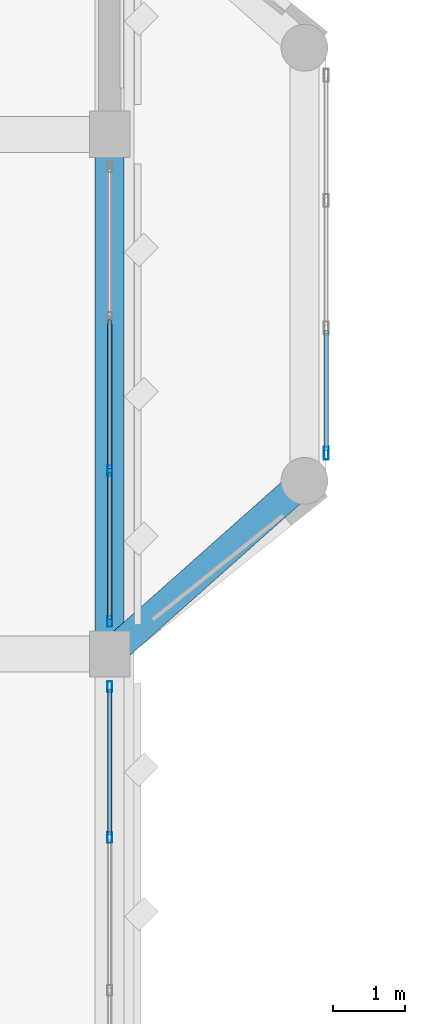
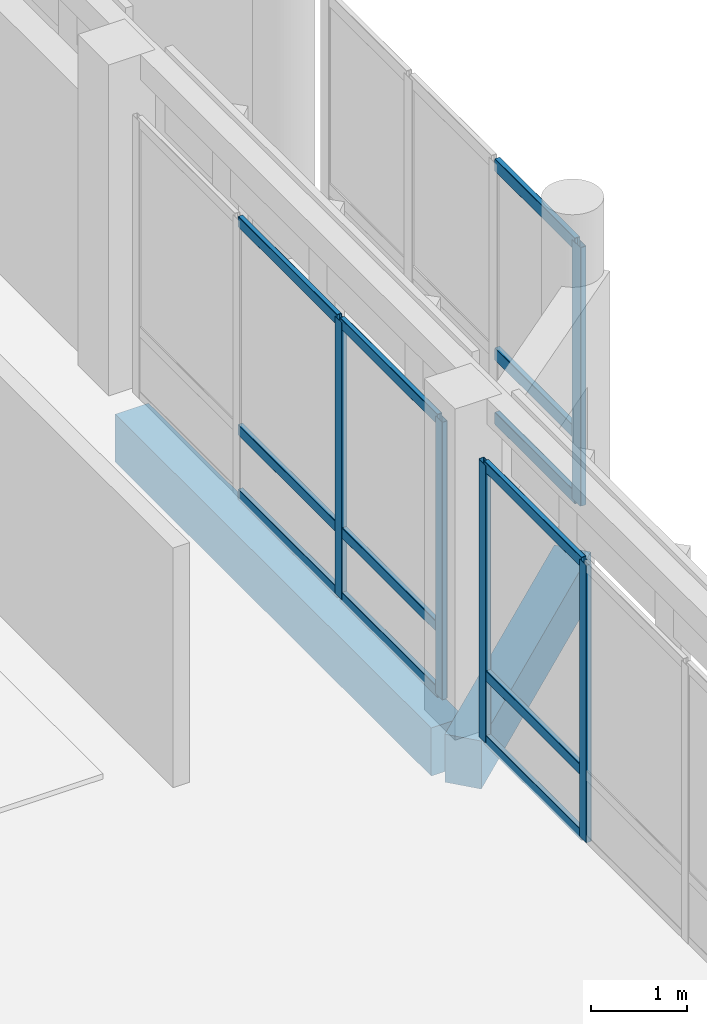
# One storey, part 32 of 158: 17 members, 2 beams, 3 elements without a shape of their own.
"""IFC4 building model written with IfcOpenShell, lengths in metres."""

import ifcopenshell
import ifcopenshell.guid

model = None  # the IFC model being written
_history = None  # IfcOwnerHistory: only IFC2X3 demands one
_inside = {}  # id of a spatial element -> (the spatial element, [elements in it])
_under = {}  # id of a project, library or spatial element -> (it, [spatial elements below it])
_declared = {}  # id of a project -> (the project, [libraries it declares])
_typed = {}  # id of a type object -> (the type object, [elements of that type])
_made_of = {}  # id of a material, layer set ... -> (it, [elements and type objects made of it])


def new_model(schema):
    """Start an empty IFC model of exactly this schema.

    Asked for "IFC4X3", IfcOpenShell would pick the latest addendum, in which some entities
    have other attributes; the version numbers below select the first issue.
    IFC2X3 requires an IfcOwnerHistory on every rooted entity: one is made here for all.
    """
    global model, _history
    if schema == "IFC4X3":
        model = ifcopenshell.file(schema_version=(4, 3, 0, 0))
    else:
        model = ifcopenshell.file(schema=schema)
    _inside.clear()
    _under.clear()
    _declared.clear()
    _typed.clear()
    _made_of.clear()
    _history = None
    if model.schema == "IFC2X3":
        org = make("IfcOrganization", Name="unknown")
        user = make(
            "IfcPersonAndOrganization",
            ThePerson=make("IfcPerson", FamilyName="unknown"),
            TheOrganization=org,
        )
        app = make(
            "IfcApplication",
            ApplicationDeveloper=org,
            Version="unknown",
            ApplicationFullName="unknown",
            ApplicationIdentifier="unknown",
        )
        _history = make(
            "IfcOwnerHistory",
            OwningUser=user,
            OwningApplication=app,
            ChangeAction="ADDED",
            CreationDate=0,
        )
    return model


def make(cls, **values):
    """One entity of the class cls with the attributes given. An attribute that is None is left unset."""
    return model.create_entity(
        cls, **{name: value for name, value in values.items() if value is not None}
    )


def rooted(cls, **values):
    """An entity with a GlobalId (a new one), such as an element, a storey or a relation."""
    return make(cls, GlobalId=ifcopenshell.guid.new(), OwnerHistory=_history, **values)


def si_unit(unit_type, name, prefix=None):
    """IfcSIUnit, for example si_unit("LENGTHUNIT", "METRE", prefix="MILLI")."""
    return make("IfcSIUnit", UnitType=unit_type, Prefix=prefix, Name=name)


def assignment(units):
    """IfcUnitAssignment: the units of a project."""
    return None if units is None else make("IfcUnitAssignment", Units=units)


def point(xyz):
    """IfcCartesianPoint."""
    return None if xyz is None else make("IfcCartesianPoint", Coordinates=xyz)


def direction(xyz):
    """IfcDirection."""
    return None if xyz is None else make("IfcDirection", DirectionRatios=xyz)


def frame(location, z_axis=None, x_axis=None):
    """IfcAxis2Placement3D, a coordinate frame: its origin and axes. An axis left out is left unset."""
    return make(
        "IfcAxis2Placement3D",
        Location=point(location),
        Axis=direction(z_axis),
        RefDirection=direction(x_axis),
    )


def frame_2d(location, x_axis=None):
    """IfcAxis2Placement2D, a coordinate frame in the plane: its origin and x axis."""
    return make(
        "IfcAxis2Placement2D", Location=point(location), RefDirection=direction(x_axis)
    )


def origin():
    """The frame at (0, 0, 0) with its axes left unset."""
    return frame((0.0, 0.0, 0.0))


def origin_2d():
    """The frame at (0, 0) in the plane with its x axis left unset."""
    return frame_2d((0.0, 0.0))


def place(relative_to, where):
    """IfcLocalPlacement: puts the frame where relative to a parent placement (None: the world)."""
    return make(
        "IfcLocalPlacement", PlacementRelTo=relative_to, RelativePlacement=where
    )


def context(
    kind, dimensions, precision=None, world=None, true_north=None, identifier=None
):
    """IfcGeometricRepresentationContext, for example the 3D "Model" context."""
    return make(
        "IfcGeometricRepresentationContext",
        ContextIdentifier=identifier,
        ContextType=kind,
        CoordinateSpaceDimension=dimensions,
        Precision=precision,
        WorldCoordinateSystem=world,
        TrueNorth=true_north,
    )


def subcontext(parent, identifier, kind, view, scale=None):
    """IfcGeometricRepresentationSubContext, for example "Body" below "Model"."""
    return make(
        "IfcGeometricRepresentationSubContext",
        ContextIdentifier=identifier,
        ContextType=kind,
        ParentContext=parent,
        TargetScale=scale,
        TargetView=view,
    )


def project(units=None, contexts=None):
    """IfcProject with its units and contexts."""
    return rooted(
        "IfcProject",
        Name="project",
        RepresentationContexts=contexts,
        UnitsInContext=assignment(units),
    )


def spatial(cls, under=None, at=None, **own):
    """A site, building, storey or space (cls), placed at a placement, below another one or the project."""
    s = rooted(cls, ObjectPlacement=at, **own)
    if under is not None:
        _under.setdefault(under.id(), (under, []))[1].append(s)
    return s


def profile(cls, at=None, kind="AREA", **sizes):
    """A parametric profile (cls). Its sizes go by their IFC names, for example OverallWidth=200.0."""
    return make(cls, ProfileType=kind, Position=at, **sizes)


def rectangle(**sizes):
    """IfcRectangleProfileDef."""
    return profile("IfcRectangleProfileDef", **sizes)


def hollow_rectangle(**sizes):
    """IfcRectangleHollowProfileDef."""
    return profile("IfcRectangleHollowProfileDef", **sizes)


def extrude(swept, where, along, depth):
    """IfcExtrudedAreaSolid: the profile swept, set in the frame where, extruded along a direction by depth."""
    return make(
        "IfcExtrudedAreaSolid",
        SweptArea=swept,
        Position=where,
        ExtrudedDirection=direction(along),
        Depth=depth,
    )


def shape(context_of_items, identifier, shape_type, items):
    """IfcShapeRepresentation: the items that make up one representation, for example the "Body"."""
    return make(
        "IfcShapeRepresentation",
        ContextOfItems=context_of_items,
        RepresentationIdentifier=identifier,
        RepresentationType=shape_type,
        Items=items,
    )


def material(Name=None, Category=None):
    """IfcMaterial."""
    return make("IfcMaterial", Name=Name, Category=Category)


def material_profile(
    of_material, cross_section, Name=None, Category=None, Priority=None
):
    """IfcMaterialProfile: a cross section and its material."""
    return make(
        "IfcMaterialProfile",
        Name=Name,
        Material=of_material,
        Profile=cross_section,
        Priority=Priority,
        Category=Category,
    )


def profile_set(profiles, Name=None, composite=None):
    """IfcMaterialProfileSet."""
    return make(
        "IfcMaterialProfileSet",
        Name=Name,
        MaterialProfiles=profiles,
        CompositeProfile=composite,
    )


def made_of(thing, what):
    """Note that an element or type object is made of a material, layer set ...; save() writes the relation."""
    if what is not None:
        _made_of.setdefault(what.id(), (what, []))[1].append(thing)
    return thing


def type_object(cls, material=None, **own):
    """A type object (cls), such as IfcWallType, which elements share."""
    return made_of(rooted(cls, **own), material)


def element(
    cls,
    number,
    at=None,
    inside=None,
    cuts=None,
    type_object=None,
    material=None,
    context=None,
    identifier="Body",
    shape_type=None,
    held_by="IfcProductDefinitionShape",
    body=None,
    shapes=None,
    **own,
):
    """One element of the class cls, such as IfcWall. Its Tag is "e" and its number.

    at: its placement. inside: the storey or other place that contains it. cuts: it is an
    opening in that element (IfcRelVoidsElement). A single representation is given by context,
    identifier, shape_type and body (its items); several are given by shapes. held_by: the class
    of the entity that holds the representations. save() writes the other relations.
    """
    e = rooted(cls, Tag="e%d" % number, ObjectPlacement=at, **own)
    if body is not None:
        shapes = [shape(context, identifier, shape_type, body)]
    if shapes is not None:
        e.Representation = make(held_by, Representations=shapes)
    if inside is not None:
        _inside.setdefault(inside.id(), (inside, []))[1].append(e)
    if cuts is not None:
        rooted(
            "IfcRelVoidsElement", RelatingBuildingElement=cuts, RelatedOpeningElement=e
        )
    if type_object is not None:
        _typed.setdefault(type_object.id(), (type_object, []))[1].append(e)
    return made_of(e, material)


def aggregate(whole, parts):
    """IfcRelAggregates: a whole, such as a stair, and the parts it consists of."""
    return rooted("IfcRelAggregates", RelatingObject=whole, RelatedObjects=parts)


def save(model, path):
    """Write the relations noted so far, then the file.

    IfcRelAggregates (storeys below a building ...), IfcRelContainedInSpatialStructure (elements
    in a storey), IfcRelDefinesByType, IfcRelAssociatesMaterial and IfcRelDeclares: one each for
    every whole, place, type object, material and project.
    """
    for whole, parts in _under.values():
        aggregate(whole, parts)
    for where, things in _inside.values():
        rooted(
            "IfcRelContainedInSpatialStructure",
            RelatedElements=things,
            RelatingStructure=where,
        )
    for kind, things in _typed.values():
        rooted("IfcRelDefinesByType", RelatedObjects=things, RelatingType=kind)
    for what, things in _made_of.values():
        rooted("IfcRelAssociatesMaterial", RelatedObjects=things, RelatingMaterial=what)
    for by, libraries in _declared.values():
        rooted("IfcRelDeclares", RelatingContext=by, RelatedDefinitions=libraries)
    model.write(path)


model = new_model("IFC4")

# Units and contexts
model_context = context("Model", 3, precision=1e-05, world=origin(), true_north=direction((0.0, 1.0)))
body_context = subcontext(model_context, "Body", "Model", "MODEL_VIEW")
ifc_project = project(units=[si_unit("LENGTHUNIT", "METRE"), si_unit("AREAUNIT", "SQUARE_METRE"), si_unit("VOLUMEUNIT", "CUBIC_METRE"), si_unit("PLANEANGLEUNIT", "RADIAN"), si_unit("MASSUNIT", "GRAM", prefix="KILO")], contexts=[model_context])

# Site, building, storey
site_placement = place(None, origin())
site = spatial("IfcSite", under=ifc_project, at=site_placement, CompositionType="ELEMENT")
building_placement = place(site_placement, origin())
building = spatial("IfcBuilding", under=site, at=building_placement, Name="Lusvemor Sports Hall", CompositionType="ELEMENT")
storey_placement = place(building_placement, frame((0.0, 0.0, 10.800048828125)))
storey = spatial("IfcBuildingStorey", under=building, at=storey_placement, Name="L02", CompositionType="ELEMENT", Elevation=10.800048828125)

# Curtain wall, member
ifc_material_1 = material(Name="Thermally broken bronze-anodized aluminium", Category="aluminium")
curtain_wall_type_1 = type_object("IfcCurtainWallType", Name="CW_FOYER_A", PredefinedType="NOTDEFINED", material=ifc_material_1)
curtain_wall_1_placement = place(storey_placement, origin())
curtain_wall_1 = element("IfcCurtainWall", 1, at=curtain_wall_1_placement, inside=storey, type_object=curtain_wall_type_1, Name="Curtain Wall CW-BOW-CT-L02-M", PredefinedType="NOTDEFINED")
ifc_material_2 = material(Name="Thermally broken bronze-anodized aluminium", Category="aluminium")
ifc_material_profile_1 = material_profile(ifc_material_2, hollow_rectangle(XDim=0.070068359375, YDim=0.179931640625, WallThickness=0.0048828125, InnerFilletRadius=0.0048828125, OuterFilletRadius=0.010009765625, at=origin_2d()), Name="CWMUL180x70x5")
ifc_profile_set_1 = profile_set([ifc_material_profile_1], Name="Thermally broken bronze-anodized aluminium")
member_type_1 = type_object("IfcMemberType", Name="CW_MUL_A", PredefinedType="MULLION", material=ifc_profile_set_1)
member_1_placement = place(storey_placement, frame((24.60009765625, 78.385009765625, 0.0), z_axis=(0.0, 0.0, 1.0), x_axis=(1.0, 0.0, 0.0)))
member_1 = element("IfcMember", 2, at=member_1_placement, type_object=member_type_1, Name="CW01 mullion 4", PredefinedType="MULLION", context=body_context, shape_type="SweptSolid", body=[
    extrude(hollow_rectangle(XDim=0.070068359375, YDim=0.179931640625, WallThickness=0.0048828125, InnerFilletRadius=0.0048828125, OuterFilletRadius=0.010009765625, at=origin_2d()), origin(), (0.0, 0.0, 1.0), 3.280029296875),
])

# Curtain wall, members
ifc_material_3 = material(Name="Thermally broken bronze-anodized aluminium", Category="aluminium")
curtain_wall_type_2 = type_object("IfcCurtainWallType", Name="CW_WING_B", PredefinedType="NOTDEFINED", material=ifc_material_3)
curtain_wall_2_placement = place(storey_placement, origin())
curtain_wall_2 = element("IfcCurtainWall", 3, at=curtain_wall_2_placement, inside=storey, type_object=curtain_wall_type_2, Name="Curtain Wall CW-L02-E-5-3", PredefinedType="NOTDEFINED")
ifc_material_4 = material(Name="Thermally broken bronze-anodized aluminium", Category="aluminium")
ifc_material_profile_2 = material_profile(ifc_material_4, hollow_rectangle(XDim=0.06494140625, YDim=0.14990234375, WallThickness=0.00390625, InnerFilletRadius=0.00390625, OuterFilletRadius=0.008056640625, at=origin_2d()), Name="CWMUL150x65x4")
ifc_profile_set_2 = profile_set([ifc_material_profile_2], Name="Thermally broken bronze-anodized aluminium")
member_type_2 = type_object("IfcMemberType", Name="CW_MUL_B", PredefinedType="MULLION", material=ifc_profile_set_2)
member_2_placement = place(storey_placement, frame((21.60009765625, 75.1474609375, 0.0), z_axis=(0.0, 0.0, 1.0), x_axis=(1.0, 0.0, 0.0)))
member_2 = element("IfcMember", 4, at=member_2_placement, type_object=member_type_2, Name="CW02 mullion 1", PredefinedType="MULLION", context=body_context, shape_type="SweptSolid", body=[
    extrude(hollow_rectangle(XDim=0.06494140625, YDim=0.14990234375, WallThickness=0.00390625, InnerFilletRadius=0.00390625, OuterFilletRadius=0.008056640625, at=origin_2d()), origin(), (0.0, 0.0, 1.0), 3.52001953125),
])
member_3_placement = place(storey_placement, frame((21.60009765625, 73.06005859375, 0.0), z_axis=(0.0, 0.0, 1.0), x_axis=(1.0, 0.0, 0.0)))
member_3 = element("IfcMember", 5, at=member_3_placement, type_object=member_type_2, Name="CW02 mullion 2", PredefinedType="MULLION", context=body_context, shape_type="SweptSolid", body=[
    extrude(hollow_rectangle(XDim=0.06494140625, YDim=0.14990234375, WallThickness=0.00390625, InnerFilletRadius=0.00390625, OuterFilletRadius=0.008056640625, at=origin_2d()), origin(), (0.0, 0.0, 1.0), 3.52001953125),
])

curtain_wall_3_placement = place(storey_placement, origin())
curtain_wall_3 = element("IfcCurtainWall", 6, at=curtain_wall_3_placement, inside=storey, type_object=curtain_wall_type_2, Name="Curtain Wall CW-L02-E-5-4", PredefinedType="NOTDEFINED")
member_4_placement = place(storey_placement, frame((21.60009765625, 78.139892578125, 0.0), z_axis=(0.0, 0.0, 1.0), x_axis=(1.0, 0.0, 0.0)))
member_4 = element("IfcMember", 7, at=member_4_placement, type_object=member_type_2, Name="CW02 mullion 3", PredefinedType="MULLION", context=body_context, shape_type="SweptSolid", body=[
    extrude(hollow_rectangle(XDim=0.06494140625, YDim=0.14990234375, WallThickness=0.00390625, InnerFilletRadius=0.00390625, OuterFilletRadius=0.008056640625, at=origin_2d()), origin(), (0.0, 0.0, 1.0), 3.52001953125),
])
member_5_placement = place(storey_placement, frame((21.60009765625, 76.052490234375, 0.0), z_axis=(0.0, 0.0, 1.0), x_axis=(1.0, 0.0, 0.0)))
member_5 = element("IfcMember", 8, at=member_5_placement, type_object=member_type_2, Name="CW02 mullion 4", PredefinedType="MULLION", context=body_context, shape_type="SweptSolid", body=[
    extrude(hollow_rectangle(XDim=0.06494140625, YDim=0.14990234375, WallThickness=0.00390625, InnerFilletRadius=0.00390625, OuterFilletRadius=0.008056640625, at=origin_2d()), origin(), (0.0, 0.0, 1.0), 3.52001953125),
])

# Member
ifc_material_5 = material(Name="Thermally broken bronze-anodized aluminium", Category="aluminium")
ifc_material_profile_3 = material_profile(ifc_material_5, hollow_rectangle(XDim=0.06494140625, YDim=0.159912109375, WallThickness=0.00390625, InnerFilletRadius=0.00390625, OuterFilletRadius=0.008056640625, at=origin_2d()), Name="CWTRN160x65x4")
ifc_profile_set_3 = profile_set([ifc_material_profile_3], Name="Thermally broken bronze-anodized aluminium")
member_type_3 = type_object("IfcMemberType", Name="CW_TRN_A", PredefinedType="USERDEFINED", material=ifc_profile_set_3)
member_6_placement = place(storey_placement, frame((24.60009765625, 80.081787109375, 0.032470703125), z_axis=(0.0, -1.0, 0.0), x_axis=(1.0, 0.0, 0.0)))
member_6 = element("IfcMember", 9, at=member_6_placement, type_object=member_type_3, Name="CW01 transom 3.1", ObjectType="TRANSOM", PredefinedType="USERDEFINED", context=body_context, shape_type="SweptSolid", body=[
    extrude(hollow_rectangle(XDim=0.06494140625, YDim=0.159912109375, WallThickness=0.00390625, InnerFilletRadius=0.00390625, OuterFilletRadius=0.008056640625, at=origin_2d()), origin(), (0.0, 0.0, 1.0), 1.661865234375),
])

member_7_placement = place(storey_placement, frame((24.60009765625, 80.081787109375, 0.849853515625), z_axis=(0.0, -1.0, 0.0), x_axis=(1.0, 0.0, 0.0)))
member_7 = element("IfcMember", 10, at=member_7_placement, type_object=member_type_3, Name="CW01 transom 3.2", ObjectType="TRANSOM", PredefinedType="USERDEFINED", context=body_context, shape_type="SweptSolid", body=[
    extrude(hollow_rectangle(XDim=0.06494140625, YDim=0.159912109375, WallThickness=0.00390625, InnerFilletRadius=0.00390625, OuterFilletRadius=0.008056640625, at=origin_2d()), origin(), (0.0, 0.0, 1.0), 1.661865234375),
])

member_8_placement = place(storey_placement, frame((24.60009765625, 80.081787109375, 3.24755859375), z_axis=(0.0, -1.0, 0.0), x_axis=(1.0, 0.0, 0.0)))
member_8 = element("IfcMember", 11, at=member_8_placement, type_object=member_type_3, Name="CW01 transom 3.3", ObjectType="TRANSOM", PredefinedType="USERDEFINED", context=body_context, shape_type="SweptSolid", body=[
    extrude(hollow_rectangle(XDim=0.06494140625, YDim=0.159912109375, WallThickness=0.00390625, InnerFilletRadius=0.00390625, OuterFilletRadius=0.008056640625, at=origin_2d()), origin(), (0.0, 0.0, 1.0), 1.661865234375),
])

aggregate(curtain_wall_1, [member_1, member_6, member_7, member_8])

ifc_material_6 = material(Name="Thermally broken bronze-anodized aluminium", Category="aluminium")
ifc_material_profile_4 = material_profile(ifc_material_6, hollow_rectangle(XDim=0.06005859375, YDim=0.135009765625, WallThickness=0.00390625, InnerFilletRadius=0.00390625, OuterFilletRadius=0.008056640625, at=origin_2d()), Name="CWTRN135x60x4")
ifc_profile_set_4 = profile_set([ifc_material_profile_4], Name="Thermally broken bronze-anodized aluminium")
member_type_4 = type_object("IfcMemberType", Name="CW_TRN_B", PredefinedType="USERDEFINED", material=ifc_profile_set_4)
member_9_placement = place(storey_placement, frame((21.60009765625, 75.114990234375, 0.030029296875), z_axis=(0.0, -1.0, 0.0), x_axis=(1.0, 0.0, 0.0)))
member_9 = element("IfcMember", 12, at=member_9_placement, type_object=member_type_4, Name="CW02 transom 1.1", ObjectType="TRANSOM", PredefinedType="USERDEFINED", context=body_context, shape_type="SweptSolid", body=[
    extrude(hollow_rectangle(XDim=0.06005859375, YDim=0.135009765625, WallThickness=0.00390625, InnerFilletRadius=0.00390625, OuterFilletRadius=0.008056640625, at=origin_2d()), origin(), (0.0, 0.0, 1.0), 2.0224609375),
])

member_10_placement = place(storey_placement, frame((21.60009765625, 75.114990234375, 0.849853515625), z_axis=(0.0, -1.0, 0.0), x_axis=(1.0, 0.0, 0.0)))
member_10 = element("IfcMember", 13, at=member_10_placement, type_object=member_type_4, Name="CW02 transom 1.2", ObjectType="TRANSOM", PredefinedType="USERDEFINED", context=body_context, shape_type="SweptSolid", body=[
    extrude(hollow_rectangle(XDim=0.06005859375, YDim=0.135009765625, WallThickness=0.00390625, InnerFilletRadius=0.00390625, OuterFilletRadius=0.008056640625, at=origin_2d()), origin(), (0.0, 0.0, 1.0), 2.0224609375),
])

member_11_placement = place(storey_placement, frame((21.60009765625, 75.114990234375, 3.489990234375), z_axis=(0.0, -1.0, 0.0), x_axis=(1.0, 0.0, 0.0)))
member_11 = element("IfcMember", 14, at=member_11_placement, type_object=member_type_4, Name="CW02 transom 1.3", ObjectType="TRANSOM", PredefinedType="USERDEFINED", context=body_context, shape_type="SweptSolid", body=[
    extrude(hollow_rectangle(XDim=0.06005859375, YDim=0.135009765625, WallThickness=0.00390625, InnerFilletRadius=0.00390625, OuterFilletRadius=0.008056640625, at=origin_2d()), origin(), (0.0, 0.0, 1.0), 2.0224609375),
])

aggregate(curtain_wall_2, [member_2, member_3, member_9, member_10, member_11])

member_12_placement = place(storey_placement, frame((21.60009765625, 80.2275390625, 0.030029296875), z_axis=(0.0, -1.0, 0.0), x_axis=(1.0, 0.0, 0.0)))
member_12 = element("IfcMember", 15, at=member_12_placement, type_object=member_type_4, Name="CW02 transom 2.1", ObjectType="TRANSOM", PredefinedType="USERDEFINED", context=body_context, shape_type="SweptSolid", body=[
    extrude(hollow_rectangle(XDim=0.06005859375, YDim=0.135009765625, WallThickness=0.00390625, InnerFilletRadius=0.00390625, OuterFilletRadius=0.008056640625, at=origin_2d()), origin(), (0.0, 0.0, 1.0), 2.054931640625),
])

member_13_placement = place(storey_placement, frame((21.60009765625, 80.2275390625, 0.849853515625), z_axis=(0.0, -1.0, 0.0), x_axis=(1.0, 0.0, 0.0)))
member_13 = element("IfcMember", 16, at=member_13_placement, type_object=member_type_4, Name="CW02 transom 2.2", ObjectType="TRANSOM", PredefinedType="USERDEFINED", context=body_context, shape_type="SweptSolid", body=[
    extrude(hollow_rectangle(XDim=0.06005859375, YDim=0.135009765625, WallThickness=0.00390625, InnerFilletRadius=0.00390625, OuterFilletRadius=0.008056640625, at=origin_2d()), origin(), (0.0, 0.0, 1.0), 2.054931640625),
])

member_14_placement = place(storey_placement, frame((21.60009765625, 80.2275390625, 3.489990234375), z_axis=(0.0, -1.0, 0.0), x_axis=(1.0, 0.0, 0.0)))
member_14 = element("IfcMember", 17, at=member_14_placement, type_object=member_type_4, Name="CW02 transom 2.3", ObjectType="TRANSOM", PredefinedType="USERDEFINED", context=body_context, shape_type="SweptSolid", body=[
    extrude(hollow_rectangle(XDim=0.06005859375, YDim=0.135009765625, WallThickness=0.00390625, InnerFilletRadius=0.00390625, OuterFilletRadius=0.008056640625, at=origin_2d()), origin(), (0.0, 0.0, 1.0), 2.054931640625),
])

member_15_placement = place(storey_placement, frame((21.60009765625, 78.107421875, 0.030029296875), z_axis=(0.0, -1.0, 0.0), x_axis=(1.0, 0.0, 0.0)))
member_15 = element("IfcMember", 18, at=member_15_placement, type_object=member_type_4, Name="CW02 transom 3.1", ObjectType="TRANSOM", PredefinedType="USERDEFINED", context=body_context, shape_type="SweptSolid", body=[
    extrude(hollow_rectangle(XDim=0.06005859375, YDim=0.135009765625, WallThickness=0.00390625, InnerFilletRadius=0.00390625, OuterFilletRadius=0.008056640625, at=origin_2d()), origin(), (0.0, 0.0, 1.0), 2.0224609375),
])

member_16_placement = place(storey_placement, frame((21.60009765625, 78.107421875, 0.849853515625), z_axis=(0.0, -1.0, 0.0), x_axis=(1.0, 0.0, 0.0)))
member_16 = element("IfcMember", 19, at=member_16_placement, type_object=member_type_4, Name="CW02 transom 3.2", ObjectType="TRANSOM", PredefinedType="USERDEFINED", context=body_context, shape_type="SweptSolid", body=[
    extrude(hollow_rectangle(XDim=0.06005859375, YDim=0.135009765625, WallThickness=0.00390625, InnerFilletRadius=0.00390625, OuterFilletRadius=0.008056640625, at=origin_2d()), origin(), (0.0, 0.0, 1.0), 2.0224609375),
])

member_17_placement = place(storey_placement, frame((21.60009765625, 78.107421875, 3.489990234375), z_axis=(0.0, -1.0, 0.0), x_axis=(1.0, 0.0, 0.0)))
member_17 = element("IfcMember", 20, at=member_17_placement, type_object=member_type_4, Name="CW02 transom 3.3", ObjectType="TRANSOM", PredefinedType="USERDEFINED", context=body_context, shape_type="SweptSolid", body=[
    extrude(hollow_rectangle(XDim=0.06005859375, YDim=0.135009765625, WallThickness=0.00390625, InnerFilletRadius=0.00390625, OuterFilletRadius=0.008056640625, at=origin_2d()), origin(), (0.0, 0.0, 1.0), 2.0224609375),
])

aggregate(curtain_wall_3, [member_4, member_5, member_12, member_13, member_14, member_15, member_16, member_17])

# Beams
ifc_material_7 = material(Name="Concrete C40/50", Category="concrete")
ifc_material_profile_5 = material_profile(ifc_material_7, rectangle(XDim=0.39990234375, YDim=0.610107421875, at=origin_2d()), Name="RC400x610")
ifc_profile_set_5 = profile_set([ifc_material_profile_5], Name="Concrete C40/50")
beam_type = type_object("IfcBeamType", Name="SPAND_EXT_650", PredefinedType="SPANDREL", material=ifc_profile_set_5)
beam_1_placement = place(storey_placement, frame((21.60009765625, 75.916015625, -0.56494140625), z_axis=(0.0, 1.0, 0.0), x_axis=(-1.0, 0.0, 0.0)))
element("IfcBeam", 21, at=beam_1_placement, inside=storey, type_object=beam_type, Name="Beam L02 3:K-L", PredefinedType="SPANDREL", context=body_context, shape_type="SweptSolid", body=[
    extrude(rectangle(XDim=0.39990234375, YDim=0.610107421875, at=origin_2d()), origin(), (0.0, 0.0, 1.0), 6.56787109375),
])
beam_2_placement = place(storey_placement, frame((24.300048828125, 78.0, -0.56494140625), z_axis=(-0.747416776234, -0.66435544899, 0.0), x_axis=(0.66435544899, -0.747416776234, 0.0)))
element("IfcBeam", 22, at=beam_2_placement, inside=storey, type_object=beam_type, Name="Bow Pavilion Edge Beam BOW-CT L02-3", PredefinedType="SPANDREL", context=body_context, shape_type="SweptSolid", body=[
    extrude(rectangle(XDim=0.39990234375, YDim=0.610107421875, at=origin_2d()), origin(), (0.0, 0.0, 1.0), 3.6123046875),
])

save(model, "model.ifc")
